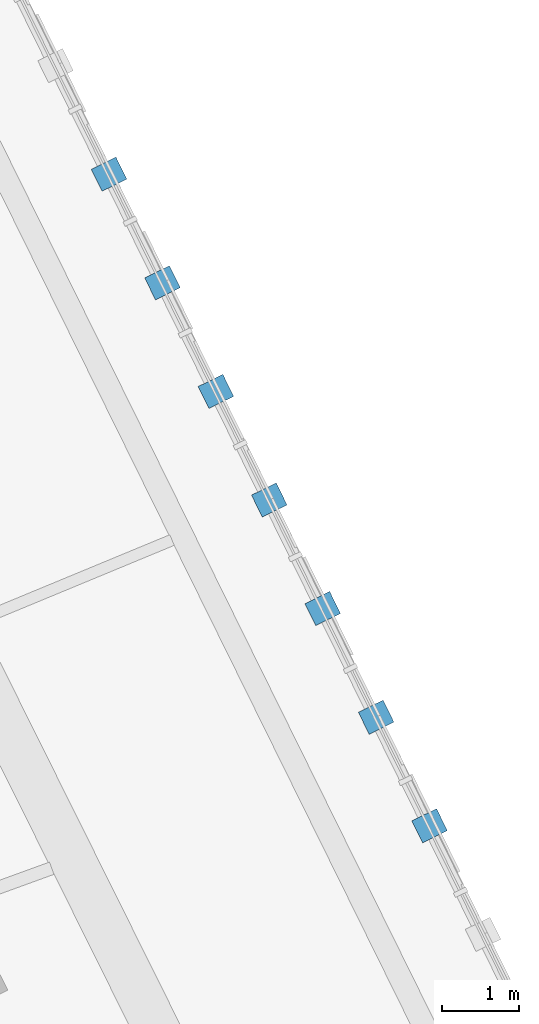
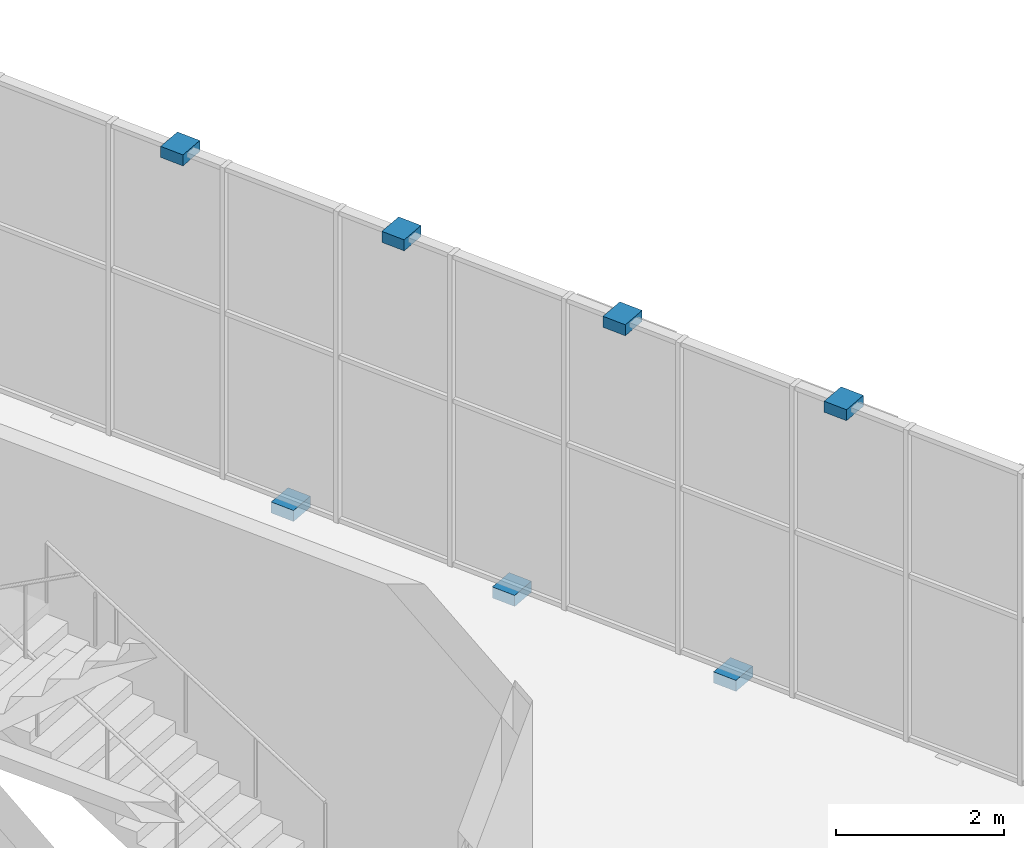
# One storey, part 122 of 183: 7 discrete accessories.
"""IFC4 building model written with IfcOpenShell, lengths in metres."""

import ifcopenshell
import ifcopenshell.guid

model = None  # the IFC model being written
_history = None  # IfcOwnerHistory: only IFC2X3 demands one
_inside = {}  # id of a spatial element -> (the spatial element, [elements in it])
_under = {}  # id of a project, library or spatial element -> (it, [spatial elements below it])
_declared = {}  # id of a project -> (the project, [libraries it declares])
_typed = {}  # id of a type object -> (the type object, [elements of that type])
_made_of = {}  # id of a material, layer set ... -> (it, [elements and type objects made of it])


def new_model(schema):
    """Start an empty IFC model of exactly this schema.

    Asked for "IFC4X3", IfcOpenShell would pick the latest addendum, in which some entities
    have other attributes; the version numbers below select the first issue.
    IFC2X3 requires an IfcOwnerHistory on every rooted entity: one is made here for all.
    """
    global model, _history
    if schema == "IFC4X3":
        model = ifcopenshell.file(schema_version=(4, 3, 0, 0))
    else:
        model = ifcopenshell.file(schema=schema)
    _inside.clear()
    _under.clear()
    _declared.clear()
    _typed.clear()
    _made_of.clear()
    _history = None
    if model.schema == "IFC2X3":
        org = make("IfcOrganization", Name="unknown")
        user = make(
            "IfcPersonAndOrganization",
            ThePerson=make("IfcPerson", FamilyName="unknown"),
            TheOrganization=org,
        )
        app = make(
            "IfcApplication",
            ApplicationDeveloper=org,
            Version="unknown",
            ApplicationFullName="unknown",
            ApplicationIdentifier="unknown",
        )
        _history = make(
            "IfcOwnerHistory",
            OwningUser=user,
            OwningApplication=app,
            ChangeAction="ADDED",
            CreationDate=0,
        )
    return model


def make(cls, **values):
    """One entity of the class cls with the attributes given. An attribute that is None is left unset."""
    return model.create_entity(
        cls, **{name: value for name, value in values.items() if value is not None}
    )


def rooted(cls, **values):
    """An entity with a GlobalId (a new one), such as an element, a storey or a relation."""
    return make(cls, GlobalId=ifcopenshell.guid.new(), OwnerHistory=_history, **values)


def si_unit(unit_type, name, prefix=None):
    """IfcSIUnit, for example si_unit("LENGTHUNIT", "METRE", prefix="MILLI")."""
    return make("IfcSIUnit", UnitType=unit_type, Prefix=prefix, Name=name)


def assignment(units):
    """IfcUnitAssignment: the units of a project."""
    return None if units is None else make("IfcUnitAssignment", Units=units)


def point(xyz):
    """IfcCartesianPoint."""
    return None if xyz is None else make("IfcCartesianPoint", Coordinates=xyz)


def direction(xyz):
    """IfcDirection."""
    return None if xyz is None else make("IfcDirection", DirectionRatios=xyz)


def frame(location, z_axis=None, x_axis=None):
    """IfcAxis2Placement3D, a coordinate frame: its origin and axes. An axis left out is left unset."""
    return make(
        "IfcAxis2Placement3D",
        Location=point(location),
        Axis=direction(z_axis),
        RefDirection=direction(x_axis),
    )


def frame_2d(location, x_axis=None):
    """IfcAxis2Placement2D, a coordinate frame in the plane: its origin and x axis."""
    return make(
        "IfcAxis2Placement2D", Location=point(location), RefDirection=direction(x_axis)
    )


def origin():
    """The frame at (0, 0, 0) with its axes left unset."""
    return frame((0.0, 0.0, 0.0))


def origin_2d():
    """The frame at (0, 0) in the plane with its x axis left unset."""
    return frame_2d((0.0, 0.0))


def place(relative_to, where):
    """IfcLocalPlacement: puts the frame where relative to a parent placement (None: the world)."""
    return make(
        "IfcLocalPlacement", PlacementRelTo=relative_to, RelativePlacement=where
    )


def context(
    kind, dimensions, precision=None, world=None, true_north=None, identifier=None
):
    """IfcGeometricRepresentationContext, for example the 3D "Model" context."""
    return make(
        "IfcGeometricRepresentationContext",
        ContextIdentifier=identifier,
        ContextType=kind,
        CoordinateSpaceDimension=dimensions,
        Precision=precision,
        WorldCoordinateSystem=world,
        TrueNorth=true_north,
    )


def subcontext(parent, identifier, kind, view, scale=None):
    """IfcGeometricRepresentationSubContext, for example "Body" below "Model"."""
    return make(
        "IfcGeometricRepresentationSubContext",
        ContextIdentifier=identifier,
        ContextType=kind,
        ParentContext=parent,
        TargetScale=scale,
        TargetView=view,
    )


def project(units=None, contexts=None):
    """IfcProject with its units and contexts."""
    return rooted(
        "IfcProject",
        Name="project",
        RepresentationContexts=contexts,
        UnitsInContext=assignment(units),
    )


def spatial(cls, under=None, at=None, **own):
    """A site, building, storey or space (cls), placed at a placement, below another one or the project."""
    s = rooted(cls, ObjectPlacement=at, **own)
    if under is not None:
        _under.setdefault(under.id(), (under, []))[1].append(s)
    return s


def profile(cls, at=None, kind="AREA", **sizes):
    """A parametric profile (cls). Its sizes go by their IFC names, for example OverallWidth=200.0."""
    return make(cls, ProfileType=kind, Position=at, **sizes)


def rectangle(**sizes):
    """IfcRectangleProfileDef."""
    return profile("IfcRectangleProfileDef", **sizes)


def extrude(swept, where, along, depth):
    """IfcExtrudedAreaSolid: the profile swept, set in the frame where, extruded along a direction by depth."""
    return make(
        "IfcExtrudedAreaSolid",
        SweptArea=swept,
        Position=where,
        ExtrudedDirection=direction(along),
        Depth=depth,
    )


def shape(context_of_items, identifier, shape_type, items):
    """IfcShapeRepresentation: the items that make up one representation, for example the "Body"."""
    return make(
        "IfcShapeRepresentation",
        ContextOfItems=context_of_items,
        RepresentationIdentifier=identifier,
        RepresentationType=shape_type,
        Items=items,
    )


def material(Name=None, Category=None):
    """IfcMaterial."""
    return make("IfcMaterial", Name=Name, Category=Category)


def layer(
    of_material, thickness, ventilated=None, Name=None, Category=None, Priority=None
):
    """IfcMaterialLayer: one layer of a wall or slab, of a material (None: an air gap)."""
    return make(
        "IfcMaterialLayer",
        Material=of_material,
        LayerThickness=thickness,
        IsVentilated=ventilated,
        Name=Name,
        Category=Category,
        Priority=Priority,
    )


def layer_set(layers, Name=None):
    """IfcMaterialLayerSet."""
    return make("IfcMaterialLayerSet", MaterialLayers=layers, LayerSetName=Name)


def made_of(thing, what):
    """Note that an element or type object is made of a material, layer set ...; save() writes the relation."""
    if what is not None:
        _made_of.setdefault(what.id(), (what, []))[1].append(thing)
    return thing


def type_object(cls, material=None, **own):
    """A type object (cls), such as IfcWallType, which elements share."""
    return made_of(rooted(cls, **own), material)


def element(
    cls,
    number,
    at=None,
    inside=None,
    cuts=None,
    type_object=None,
    material=None,
    context=None,
    identifier="Body",
    shape_type=None,
    held_by="IfcProductDefinitionShape",
    body=None,
    shapes=None,
    **own,
):
    """One element of the class cls, such as IfcWall. Its Tag is "e" and its number.

    at: its placement. inside: the storey or other place that contains it. cuts: it is an
    opening in that element (IfcRelVoidsElement). A single representation is given by context,
    identifier, shape_type and body (its items); several are given by shapes. held_by: the class
    of the entity that holds the representations. save() writes the other relations.
    """
    e = rooted(cls, Tag="e%d" % number, ObjectPlacement=at, **own)
    if body is not None:
        shapes = [shape(context, identifier, shape_type, body)]
    if shapes is not None:
        e.Representation = make(held_by, Representations=shapes)
    if inside is not None:
        _inside.setdefault(inside.id(), (inside, []))[1].append(e)
    if cuts is not None:
        rooted(
            "IfcRelVoidsElement", RelatingBuildingElement=cuts, RelatedOpeningElement=e
        )
    if type_object is not None:
        _typed.setdefault(type_object.id(), (type_object, []))[1].append(e)
    return made_of(e, material)


def aggregate(whole, parts):
    """IfcRelAggregates: a whole, such as a stair, and the parts it consists of."""
    return rooted("IfcRelAggregates", RelatingObject=whole, RelatedObjects=parts)


def save(model, path):
    """Write the relations noted so far, then the file.

    IfcRelAggregates (storeys below a building ...), IfcRelContainedInSpatialStructure (elements
    in a storey), IfcRelDefinesByType, IfcRelAssociatesMaterial and IfcRelDeclares: one each for
    every whole, place, type object, material and project.
    """
    for whole, parts in _under.values():
        aggregate(whole, parts)
    for where, things in _inside.values():
        rooted(
            "IfcRelContainedInSpatialStructure",
            RelatedElements=things,
            RelatingStructure=where,
        )
    for kind, things in _typed.values():
        rooted("IfcRelDefinesByType", RelatedObjects=things, RelatingType=kind)
    for what, things in _made_of.values():
        rooted("IfcRelAssociatesMaterial", RelatedObjects=things, RelatingMaterial=what)
    for by, libraries in _declared.values():
        rooted("IfcRelDeclares", RelatingContext=by, RelatedDefinitions=libraries)
    model.write(path)


model = new_model("IFC4")

# Units and contexts
model_context = context("Model", 3, precision=1e-05, world=origin(), true_north=direction((0.0, 1.0)))
body_context = subcontext(model_context, "Body", "Model", "MODEL_VIEW")
ifc_project = project(units=[si_unit("LENGTHUNIT", "METRE"), si_unit("AREAUNIT", "SQUARE_METRE"), si_unit("VOLUMEUNIT", "CUBIC_METRE"), si_unit("PLANEANGLEUNIT", "RADIAN"), si_unit("MASSUNIT", "GRAM", prefix="KILO")], contexts=[model_context])

# Site, building, storey
site_placement = place(None, origin())
site = spatial("IfcSite", under=ifc_project, at=site_placement, CompositionType="ELEMENT")
building_placement = place(site_placement, origin())
building = spatial("IfcBuilding", under=site, at=building_placement, Name="Zevraka Park Crest Stadium", CompositionType="ELEMENT")
storey_placement = place(building_placement, frame((0.0, 0.0, 5.39990234375)))
storey = spatial("IfcBuildingStorey", under=building, at=storey_placement, Name="L01", CompositionType="ELEMENT", Elevation=5.39990234375)

# Discrete accessories
ifc_material = material(Name="Galvanised steel bracketry", Category="steel")
ifc_layer = layer(ifc_material, 0.1201171875)
ifc_layer_set = layer_set([ifc_layer], Name="Galvanised steel bracketry")
discrete_accessory_type = type_object("IfcDiscreteAccessoryType", Name="BRK01", PredefinedType="BRACKET", material=ifc_layer_set)
for number, where, z_axis, x_axis, name in (
    (1, (200.8740234375, 117.99609375, 4.38037109375), (0.0, 0.0, 1.0), (-0.441505852792, 0.897258369674, 0.0), "Bronze Screen Carrier Bracket BRK01 L01-01-4"),
    (2, (200.176025390625, 119.4140625, -0.15966796875), (0.0, 0.0, 1.0), (-0.441505852792, 0.897258369674, 0.0), "Bronze Screen Carrier Bracket BRK01 L01-01-5"),
    (3, (199.47802734375, 120.8330078125, 4.38037109375), (0.0, 0.0, 1.0), (-0.441505852792, 0.897258369674, 0.0), "Bronze Screen Carrier Bracket BRK01 L01-01-6"),
    (4, (198.780029296875, 122.2509765625, -0.15966796875), (0.0, 0.0, 1.0), (-0.441505852792, 0.897258369674, 0.0), "Bronze Screen Carrier Bracket BRK01 L01-01-7"),
    (5, (198.0830078125, 123.6689453125, 4.38037109375), (0.0, 0.0, 1.0), (-0.441505852792, 0.897258369674, 0.0), "Bronze Screen Carrier Bracket BRK01 L01-01-8"),
    (6, (197.385009765625, 125.087890625, -0.15966796875), (0.0, 0.0, 1.0), (-0.441505852792, 0.897258369674, 0.0), "Bronze Screen Carrier Bracket BRK01 L01-01-9"),
    (7, (196.68701171875, 126.506103515625, 4.38037109375), (0.0, 0.0, 1.0), (-0.441505852792, 0.897258369674, 0.0), "Bronze Screen Carrier Bracket BRK01 L01-01-10"),
):
    element("IfcDiscreteAccessory", number, at=place(storey_placement, frame(where, z_axis=z_axis, x_axis=x_axis)), inside=storey, type_object=discrete_accessory_type, Name=name, PredefinedType="BRACKET", context=body_context, shape_type="SweptSolid", body=[
        extrude(rectangle(XDim=0.320068359375, YDim=0.360107421875, at=origin_2d()), origin(), (0.0, 0.0, 1.0), 0.159912109375),
    ])

save(model, "model.ifc")
